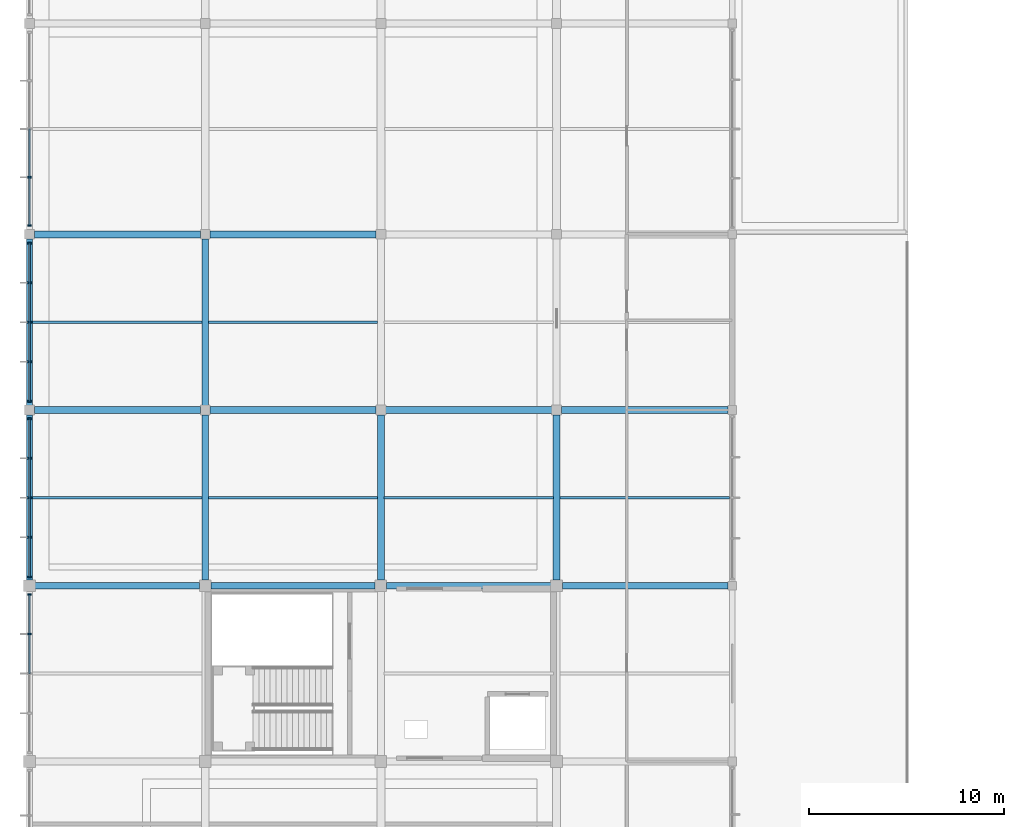
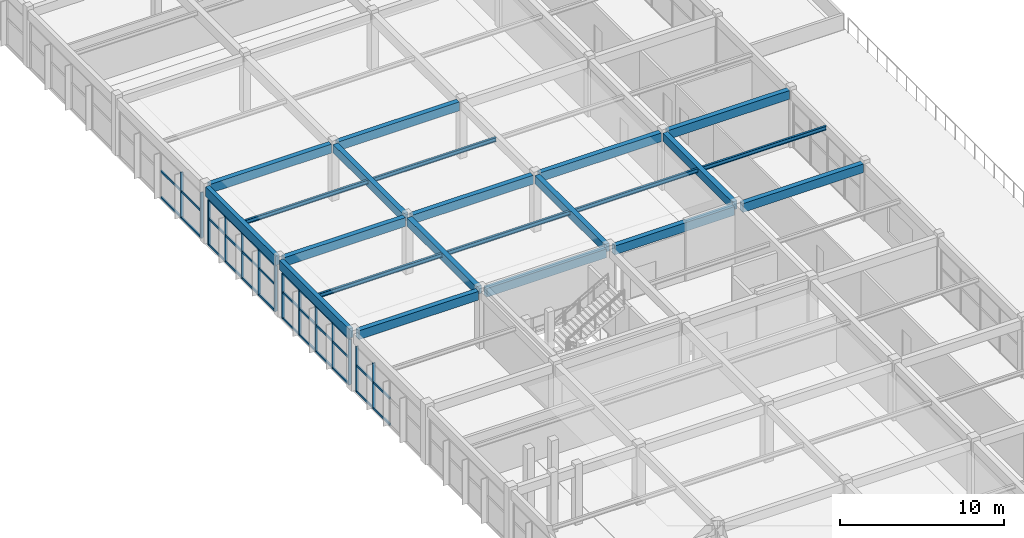
# One storey, part 25 of 89: 40 members, 22 beams, 4 elements without a shape of their own.
"""IFC4 building model written with IfcOpenShell, lengths in metres."""

from ifc_helpers import new_model, si_unit, direction, frame, origin, origin_2d, place, context, subcontext, project, spatial, rectangle, i_section, extrude, material, material_profile, profile_set, type_object, element, aggregate, save


model = new_model("IFC4")

# Units and contexts
model_context = context("Model", 3, precision=1e-05, world=origin(), true_north=direction((0.0, 1.0)))
body_context = subcontext(model_context, "Body", "Model", "MODEL_VIEW")
ifc_project = project(units=[si_unit("LENGTHUNIT", "METRE"), si_unit("AREAUNIT", "SQUARE_METRE"), si_unit("VOLUMEUNIT", "CUBIC_METRE"), si_unit("PLANEANGLEUNIT", "RADIAN"), si_unit("MASSUNIT", "GRAM", prefix="KILO")], contexts=[model_context])

# Site, building, storey
site_placement = place(None, origin())
site = spatial("IfcSite", under=ifc_project, at=site_placement, CompositionType="ELEMENT")
building_placement = place(site_placement, origin())
building = spatial("IfcBuilding", under=site, at=building_placement, Name="Suirenkawa Promenade Aquatics Centre", CompositionType="ELEMENT")
storey_placement = place(building_placement, frame((0.0, 0.0, 9.60009765625)))
storey = spatial("IfcBuildingStorey", under=building, at=storey_placement, Name="L02", CompositionType="ELEMENT", Elevation=9.60009765625)

# Beams
ifc_material_1 = material(Name="Steel IS 2062 E350 (Grade 350)", Category="steel")
ifc_material_profile_1 = material_profile(ifc_material_1, i_section(OverallWidth=0.139892578125, OverallDepth=0.300048828125, WebThickness=0.008056640625, FlangeThickness=0.012939453125, at=origin_2d()), Name="ISMB 300", Category="steel")
ifc_profile_set_1 = profile_set([ifc_material_profile_1], Name="Steel IS 2062 E350 (Grade 350)")
beam_type_1 = type_object("IfcBeamType", Name="BT-JOIST-ISMB300", PredefinedType="JOIST", material=ifc_profile_set_1)
for number, where, z_axis, x_axis, name in (
    (1, (0.14404296875, 72.89990234375, 4.087890625), (1.0, 0.0, 0.0), (0.0, 1.0, 0.0), "Secondary floor joist JS-02 BM-0697"),
    (2, (0.14404296875, 81.89990234375, 4.087890625), (1.0, 0.0, 0.0), (0.0, 1.0, 0.0), "Secondary floor joist JS-02 BM-0698"),
):
    element("IfcBeam", number, at=place(storey_placement, frame(where, z_axis=z_axis, x_axis=x_axis)), inside=storey, type_object=beam_type_1, Name=name, PredefinedType="JOIST", context=body_context, shape_type="SweptSolid", body=[
        extrude(i_section(OverallWidth=0.139892578125, OverallDepth=0.300048828125, WebThickness=0.008056640625, FlangeThickness=0.012939453125, at=origin_2d()), origin(), (0.0, 0.0, 1.0), 8.68701171875),
    ])
for number, where, z_axis, x_axis, name in (
    (3, (9.1689453125, 72.89990234375, 4.087890625), (1.0, 0.0, 0.0), (0.0, 1.0, 0.0), "Secondary floor joist JS-02 BM-0707"),
    (4, (9.1689453125, 81.89990234375, 4.087890625), (1.0, 0.0, 0.0), (0.0, 1.0, 0.0), "Secondary floor joist JS-02 BM-0708"),
    (5, (18.1689453125, 72.89990234375, 4.087890625), (1.0, 0.0, 0.0), (0.0, 1.0, 0.0), "Secondary floor joist JS-02 BM-0719"),
):
    element("IfcBeam", number, at=place(storey_placement, frame(where, z_axis=z_axis, x_axis=x_axis)), inside=storey, type_object=beam_type_1, Name=name, PredefinedType="JOIST", context=body_context, shape_type="SweptSolid", body=[
        extrude(i_section(OverallWidth=0.139892578125, OverallDepth=0.300048828125, WebThickness=0.008056640625, FlangeThickness=0.012939453125, at=origin_2d()), origin(), (0.0, 0.0, 1.0), 8.662109375),
    ])
beam_1_placement = place(storey_placement, frame((27.1689453125, 72.89990234375, 4.087890625), z_axis=(1.0, 0.0, 0.0), x_axis=(0.0, 1.0, 0.0)))
element("IfcBeam", 6, at=beam_1_placement, inside=storey, type_object=beam_type_1, Name="Secondary floor joist JS-02 BM-0731", PredefinedType="JOIST", context=body_context, shape_type="SweptSolid", body=[
    extrude(i_section(OverallWidth=0.139892578125, OverallDepth=0.300048828125, WebThickness=0.008056640625, FlangeThickness=0.012939453125, at=origin_2d()), origin(), (0.0, 0.0, 1.0), 8.68701171875),
])
ifc_material_2 = material(Name="Concrete M35", Category="concrete")
ifc_material_profile_2 = material_profile(ifc_material_2, rectangle(XDim=0.35009765625, YDim=0.60009765625, at=origin_2d()), Name="RC BM 350x600", Category="concrete")
ifc_profile_set_2 = profile_set([ifc_material_profile_2], Name="Concrete M35")
beam_type_2 = type_object("IfcBeamType", Name="BT-RC-350x600", PredefinedType="BEAM", material=ifc_profile_set_2)
beam_2_placement = place(storey_placement, frame((9.0, 68.694091796875, 3.93994140625), z_axis=(0.0, 1.0, 0.0), x_axis=(-1.0, 0.0, 0.0)))
element("IfcBeam", 7, at=beam_2_placement, inside=storey, type_object=beam_type_2, Name="Floor beam BM-02 BM-0649", PredefinedType="BEAM", context=body_context, shape_type="SweptSolid", body=[
    extrude(rectangle(XDim=0.35009765625, YDim=0.60009765625, at=origin_2d()), origin(), (0.0, 0.0, 1.0), 8.4619140625),
])
beam_3_placement = place(storey_placement, frame((9.0, 77.64404296875, 3.93994140625), z_axis=(0.0, 1.0, 0.0), x_axis=(-1.0, 0.0, 0.0)))
element("IfcBeam", 8, at=beam_3_placement, inside=storey, type_object=beam_type_2, Name="Floor beam BM-02 BM-0650", PredefinedType="BEAM", context=body_context, shape_type="SweptSolid", body=[
    extrude(rectangle(XDim=0.35009765625, YDim=0.60009765625, at=origin_2d()), origin(), (0.0, 0.0, 1.0), 8.511962890625),
])
for number, where, z_axis, x_axis, name in (
    (9, (18.0, 68.694091796875, 3.93994140625), (0.0, 1.0, 0.0), (-1.0, 0.0, 0.0), "Floor beam BM-02 BM-0661"),
    (10, (27.0, 68.694091796875, 3.93994140625), (0.0, 1.0, 0.0), (-1.0, 0.0, 0.0), "Floor beam BM-02 BM-0673"),
):
    element("IfcBeam", number, at=place(storey_placement, frame(where, z_axis=z_axis, x_axis=x_axis)), inside=storey, type_object=beam_type_2, Name=name, PredefinedType="BEAM", context=body_context, shape_type="SweptSolid", body=[
        extrude(rectangle(XDim=0.35009765625, YDim=0.60009765625, at=origin_2d()), origin(), (0.0, 0.0, 1.0), 8.4619140625),
    ])
ifc_material_profile_3 = material_profile(ifc_material_2, rectangle(XDim=0.35009765625, YDim=0.64990234375, at=origin_2d()), Name="RC BM 350x650", Category="concrete")
ifc_profile_set_3 = profile_set([ifc_material_profile_3], Name="Concrete M35")
beam_type_3 = type_object("IfcBeamType", Name="BT-RC-350x650", PredefinedType="BEAM", material=ifc_profile_set_3)
for number, where, z_axis, x_axis, name in (
    (11, (0.2939453125, 68.39990234375, 3.914794921875), (1.0, 0.0, 0.0), (0.0, 1.0, 0.0), "Floor beam BM-03 BM-0606"),
    (12, (9.2939453125, 68.39990234375, 3.914794921875), (1.0, 0.0, 0.0), (0.0, 1.0, 0.0), "Floor beam BM-03 BM-0607"),
    (13, (18.2939453125, 68.39990234375, 3.914794921875), (1.0, 0.0, 0.0), (0.0, 1.0, 0.0), "Floor beam BM-03 BM-0608"),
):
    element("IfcBeam", number, at=place(storey_placement, frame(where, z_axis=z_axis, x_axis=x_axis)), inside=storey, type_object=beam_type_3, Name=name, PredefinedType="BEAM", context=body_context, shape_type="SweptSolid", body=[
        extrude(rectangle(XDim=0.35009765625, YDim=0.64990234375, at=origin_2d()), origin(), (0.0, 0.0, 1.0), 8.412109375),
    ])
beam_4_placement = place(storey_placement, frame((27.2939453125, 68.39990234375, 3.914794921875), z_axis=(1.0, 0.0, 0.0), x_axis=(0.0, 1.0, 0.0)))
element("IfcBeam", 14, at=beam_4_placement, inside=storey, type_object=beam_type_3, Name="Floor beam BM-03 BM-0609", PredefinedType="BEAM", context=body_context, shape_type="SweptSolid", body=[
    extrude(rectangle(XDim=0.35009765625, YDim=0.64990234375, at=origin_2d()), origin(), (0.0, 0.0, 1.0), 8.487060546875),
])
for number, where, z_axis, x_axis, name in (
    (15, (0.243896484375, 77.39990234375, 3.914794921875), (1.0, 0.0, 0.0), (0.0, 1.0, 0.0), "Floor beam BM-03 BM-0610"),
    (16, (9.243896484375, 77.39990234375, 3.914794921875), (1.0, 0.0, 0.0), (0.0, 1.0, 0.0), "Floor beam BM-03 BM-0611"),
    (17, (18.243896484375, 77.39990234375, 3.914794921875), (1.0, 0.0, 0.0), (0.0, 1.0, 0.0), "Floor beam BM-03 BM-0612"),
):
    element("IfcBeam", number, at=place(storey_placement, frame(where, z_axis=z_axis, x_axis=x_axis)), inside=storey, type_object=beam_type_3, Name=name, PredefinedType="BEAM", context=body_context, shape_type="SweptSolid", body=[
        extrude(rectangle(XDim=0.35009765625, YDim=0.64990234375, at=origin_2d()), origin(), (0.0, 0.0, 1.0), 8.51220703125),
    ])
beam_5_placement = place(storey_placement, frame((27.243896484375, 77.39990234375, 3.914794921875), z_axis=(1.0, 0.0, 0.0), x_axis=(0.0, 1.0, 0.0)))
element("IfcBeam", 18, at=beam_5_placement, inside=storey, type_object=beam_type_3, Name="Floor beam BM-03 BM-0613", PredefinedType="BEAM", context=body_context, shape_type="SweptSolid", body=[
    extrude(rectangle(XDim=0.35009765625, YDim=0.64990234375, at=origin_2d()), origin(), (0.0, 0.0, 1.0), 8.537109375),
])
for number, where, z_axis, x_axis, name in (
    (19, (0.243896484375, 86.39990234375, 3.914794921875), (1.0, 0.0, 0.0), (0.0, 1.0, 0.0), "Floor beam BM-03 BM-0614"),
    (20, (9.243896484375, 86.39990234375, 3.914794921875), (1.0, 0.0, 0.0), (0.0, 1.0, 0.0), "Floor beam BM-03 BM-0615"),
):
    element("IfcBeam", number, at=place(storey_placement, frame(where, z_axis=z_axis, x_axis=x_axis)), inside=storey, type_object=beam_type_3, Name=name, PredefinedType="BEAM", context=body_context, shape_type="SweptSolid", body=[
        extrude(rectangle(XDim=0.35009765625, YDim=0.64990234375, at=origin_2d()), origin(), (0.0, 0.0, 1.0), 8.51220703125),
    ])
ifc_material_3 = material(Name="Concrete M40", Category="concrete")
ifc_material_profile_4 = material_profile(ifc_material_3, rectangle(XDim=0.300048828125, YDim=0.699951171875, at=origin_2d()), Name="RC SPANDREL 300x700", Category="concrete")
ifc_profile_set_4 = profile_set([ifc_material_profile_4], Name="Concrete M40")
beam_type_4 = type_object("IfcBeamType", Name="BT-SPANDREL-300x700", PredefinedType="SPANDREL", material=ifc_profile_set_4)
beam_6_placement = place(storey_placement, frame((0.0, 68.694091796875, 3.889892578125), z_axis=(0.0, 1.0, 0.0), x_axis=(-1.0, 0.0, 0.0)))
element("IfcBeam", 21, at=beam_6_placement, inside=storey, type_object=beam_type_4, Name="Floor beam SP-01 BM-0637", PredefinedType="SPANDREL", context=body_context, shape_type="SweptSolid", body=[
    extrude(rectangle(XDim=0.300048828125, YDim=0.699951171875, at=origin_2d()), origin(), (0.0, 0.0, 1.0), 8.4619140625),
])
beam_7_placement = place(storey_placement, frame((0.0, 77.64404296875, 3.889892578125), z_axis=(0.0, 1.0, 0.0), x_axis=(-1.0, 0.0, 0.0)))
element("IfcBeam", 22, at=beam_7_placement, inside=storey, type_object=beam_type_4, Name="Floor beam SP-01 BM-0638", PredefinedType="SPANDREL", context=body_context, shape_type="SweptSolid", body=[
    extrude(rectangle(XDim=0.300048828125, YDim=0.699951171875, at=origin_2d()), origin(), (0.0, 0.0, 1.0), 8.511962890625),
])

# Curtain wall, members
ifc_material_4 = material(Name="Anodised aluminium 6063-T6", Category="aluminium")
curtain_wall_type_1 = type_object("IfcCurtainWallType", Name="CWAT-V5WL02-60", PredefinedType="NOTDEFINED", material=ifc_material_4)
curtain_wall_1_placement = place(storey_placement, origin())
curtain_wall_1 = element("IfcCurtainWall", 23, at=curtain_wall_1_placement, inside=storey, type_object=curtain_wall_type_1, Name="Curtain wall CWA-60 CW-122", PredefinedType="NOTDEFINED")
ifc_material_profile_5 = material_profile(ifc_material_4, rectangle(XDim=0.094970703125, YDim=0.18994140625, at=origin_2d()), Name="ALU MULL 95x190", Category="aluminium")
ifc_profile_set_5 = profile_set([ifc_material_profile_5], Name="Anodised aluminium 6063-T6")
member_type_1 = type_object("IfcMemberType", Name="CWM-190x95", PredefinedType="MULLION", material=ifc_profile_set_5)
member_1_placement = place(storey_placement, frame((0.0, 65.925537109375, 0.0), z_axis=(0.0, 0.0, 1.0), x_axis=(0.0, 1.0, 0.0)))
member_1 = element("IfcMember", 24, at=member_1_placement, type_object=member_type_1, Name="Mullion ML-02 CWM-02461", PredefinedType="MULLION", context=body_context, shape_type="SweptSolid", body=[
    extrude(rectangle(XDim=0.094970703125, YDim=0.18994140625, at=origin_2d()), origin(), (0.0, 0.0, 1.0), 3.369873046875),
])
member_2_placement = place(storey_placement, frame((0.0, 67.950927734375, 0.0), z_axis=(0.0, 0.0, 1.0), x_axis=(0.0, 1.0, 0.0)))
member_2 = element("IfcMember", 25, at=member_2_placement, type_object=member_type_1, Name="Mullion ML-02 CWM-02462", PredefinedType="MULLION", context=body_context, shape_type="SweptSolid", body=[
    extrude(rectangle(XDim=0.094970703125, YDim=0.18994140625, at=origin_2d()), origin(), (0.0, 0.0, 1.0), 3.369873046875),
])

curtain_wall_2_placement = place(storey_placement, origin())
curtain_wall_2 = element("IfcCurtainWall", 26, at=curtain_wall_2_placement, inside=storey, type_object=curtain_wall_type_1, Name="Curtain wall CWA-60 CW-123", PredefinedType="NOTDEFINED")
member_3_placement = place(storey_placement, frame((0.0, 68.84912109375, 0.0), z_axis=(0.0, 0.0, 1.0), x_axis=(0.0, 1.0, 0.0)))
member_3 = element("IfcMember", 27, at=member_3_placement, type_object=member_type_1, Name="Mullion ML-02 CWM-02480", PredefinedType="MULLION", context=body_context, shape_type="SweptSolid", body=[
    extrude(rectangle(XDim=0.094970703125, YDim=0.18994140625, at=origin_2d()), origin(), (0.0, 0.0, 1.0), 3.369873046875),
])
member_4_placement = place(storey_placement, frame((0.0, 70.87451171875, 0.0), z_axis=(0.0, 0.0, 1.0), x_axis=(0.0, 1.0, 0.0)))
member_4 = element("IfcMember", 28, at=member_4_placement, type_object=member_type_1, Name="Mullion ML-02 CWM-02481", PredefinedType="MULLION", context=body_context, shape_type="SweptSolid", body=[
    extrude(rectangle(XDim=0.094970703125, YDim=0.18994140625, at=origin_2d()), origin(), (0.0, 0.0, 1.0), 3.369873046875),
])
member_5_placement = place(storey_placement, frame((0.0, 72.89990234375, 0.0), z_axis=(0.0, 0.0, 1.0), x_axis=(0.0, 1.0, 0.0)))
member_5 = element("IfcMember", 29, at=member_5_placement, type_object=member_type_1, Name="Mullion ML-02 CWM-02482", PredefinedType="MULLION", context=body_context, shape_type="SweptSolid", body=[
    extrude(rectangle(XDim=0.094970703125, YDim=0.18994140625, at=origin_2d()), origin(), (0.0, 0.0, 1.0), 3.369873046875),
])
member_6_placement = place(storey_placement, frame((0.0, 74.925537109375, 0.0), z_axis=(0.0, 0.0, 1.0), x_axis=(0.0, 1.0, 0.0)))
member_6 = element("IfcMember", 30, at=member_6_placement, type_object=member_type_1, Name="Mullion ML-02 CWM-02483", PredefinedType="MULLION", context=body_context, shape_type="SweptSolid", body=[
    extrude(rectangle(XDim=0.094970703125, YDim=0.18994140625, at=origin_2d()), origin(), (0.0, 0.0, 1.0), 3.369873046875),
])
member_7_placement = place(storey_placement, frame((0.0, 76.950927734375, 0.0), z_axis=(0.0, 0.0, 1.0), x_axis=(0.0, 1.0, 0.0)))
member_7 = element("IfcMember", 31, at=member_7_placement, type_object=member_type_1, Name="Mullion ML-02 CWM-02484", PredefinedType="MULLION", context=body_context, shape_type="SweptSolid", body=[
    extrude(rectangle(XDim=0.094970703125, YDim=0.18994140625, at=origin_2d()), origin(), (0.0, 0.0, 1.0), 3.369873046875),
])

curtain_wall_3_placement = place(storey_placement, origin())
curtain_wall_3 = element("IfcCurtainWall", 32, at=curtain_wall_3_placement, inside=storey, type_object=curtain_wall_type_1, Name="Curtain wall CWA-60 CW-125", PredefinedType="NOTDEFINED")
member_8_placement = place(storey_placement, frame((0.0, 77.84912109375, 0.0), z_axis=(0.0, 0.0, 1.0), x_axis=(0.0, 1.0, 0.0)))
member_8 = element("IfcMember", 33, at=member_8_placement, type_object=member_type_1, Name="Mullion ML-02 CWM-02524", PredefinedType="MULLION", context=body_context, shape_type="SweptSolid", body=[
    extrude(rectangle(XDim=0.094970703125, YDim=0.18994140625, at=origin_2d()), origin(), (0.0, 0.0, 1.0), 3.369873046875),
])
member_9_placement = place(storey_placement, frame((0.0, 79.87451171875, 0.0), z_axis=(0.0, 0.0, 1.0), x_axis=(0.0, 1.0, 0.0)))
member_9 = element("IfcMember", 34, at=member_9_placement, type_object=member_type_1, Name="Mullion ML-02 CWM-02525", PredefinedType="MULLION", context=body_context, shape_type="SweptSolid", body=[
    extrude(rectangle(XDim=0.094970703125, YDim=0.18994140625, at=origin_2d()), origin(), (0.0, 0.0, 1.0), 3.369873046875),
])
member_10_placement = place(storey_placement, frame((0.0, 81.89990234375, 0.0), z_axis=(0.0, 0.0, 1.0), x_axis=(0.0, 1.0, 0.0)))
member_10 = element("IfcMember", 35, at=member_10_placement, type_object=member_type_1, Name="Mullion ML-02 CWM-02526", PredefinedType="MULLION", context=body_context, shape_type="SweptSolid", body=[
    extrude(rectangle(XDim=0.094970703125, YDim=0.18994140625, at=origin_2d()), origin(), (0.0, 0.0, 1.0), 3.369873046875),
])
member_11_placement = place(storey_placement, frame((0.0, 83.925537109375, 0.0), z_axis=(0.0, 0.0, 1.0), x_axis=(0.0, 1.0, 0.0)))
member_11 = element("IfcMember", 36, at=member_11_placement, type_object=member_type_1, Name="Mullion ML-02 CWM-02527", PredefinedType="MULLION", context=body_context, shape_type="SweptSolid", body=[
    extrude(rectangle(XDim=0.094970703125, YDim=0.18994140625, at=origin_2d()), origin(), (0.0, 0.0, 1.0), 3.369873046875),
])
member_12_placement = place(storey_placement, frame((0.0, 85.950927734375, 0.0), z_axis=(0.0, 0.0, 1.0), x_axis=(0.0, 1.0, 0.0)))
member_12 = element("IfcMember", 37, at=member_12_placement, type_object=member_type_1, Name="Mullion ML-02 CWM-02528", PredefinedType="MULLION", context=body_context, shape_type="SweptSolid", body=[
    extrude(rectangle(XDim=0.094970703125, YDim=0.18994140625, at=origin_2d()), origin(), (0.0, 0.0, 1.0), 3.369873046875),
])

curtain_wall_type_2 = type_object("IfcCurtainWallType", Name="CWAT-V5WL02-63", PredefinedType="NOTDEFINED", material=ifc_material_4)
curtain_wall_4_placement = place(storey_placement, origin())
curtain_wall_4 = element("IfcCurtainWall", 38, at=curtain_wall_4_placement, inside=storey, type_object=curtain_wall_type_2, Name="Curtain wall CWA-63 CW-126", PredefinedType="NOTDEFINED")
member_13_placement = place(storey_placement, frame((0.0, 86.84912109375, 0.0), z_axis=(0.0, 0.0, 1.0), x_axis=(0.0, 1.0, 0.0)))
member_13 = element("IfcMember", 39, at=member_13_placement, type_object=member_type_1, Name="Mullion ML-02 CWM-02546", PredefinedType="MULLION", context=body_context, shape_type="SweptSolid", body=[
    extrude(rectangle(XDim=0.094970703125, YDim=0.18994140625, at=origin_2d()), origin(), (0.0, 0.0, 1.0), 3.369873046875),
])
member_14_placement = place(storey_placement, frame((0.0, 89.324462890625, 0.0), z_axis=(0.0, 0.0, 1.0), x_axis=(0.0, 1.0, 0.0)))
member_14 = element("IfcMember", 40, at=member_14_placement, type_object=member_type_1, Name="Mullion ML-02 CWM-02547", PredefinedType="MULLION", context=body_context, shape_type="SweptSolid", body=[
    extrude(rectangle(XDim=0.094970703125, YDim=0.18994140625, at=origin_2d()), origin(), (0.0, 0.0, 1.0), 3.369873046875),
])

# Member
ifc_material_profile_6 = material_profile(ifc_material_4, rectangle(XDim=0.094970703125, YDim=0.14990234375, at=origin_2d()), Name="ALU TRAN 95x150", Category="aluminium")
ifc_profile_set_6 = profile_set([ifc_material_profile_6], Name="Anodised aluminium 6063-T6")
member_type_2 = type_object("IfcMemberType", Name="CWT-150x95", PredefinedType="USERDEFINED", material=ifc_profile_set_6)
member_15_placement = place(storey_placement, frame((0.0, 63.89990234375, 0.0), z_axis=(0.0, 1.0, 0.0), x_axis=(-1.0, 0.0, 0.0)))
member_15 = element("IfcMember", 41, at=member_15_placement, type_object=member_type_2, Name="Transom TR-02 CWT-02465", ObjectType="TRANSOM", PredefinedType="USERDEFINED", context=body_context, shape_type="SweptSolid", body=[
    extrude(rectangle(XDim=0.094970703125, YDim=0.14990234375, at=origin_2d()), origin(), (0.0, 0.0, 1.0), 2.025634765625),
])

member_16_placement = place(storey_placement, frame((0.0, 65.925537109375, 0.0), z_axis=(0.0, 1.0, 0.0), x_axis=(-1.0, 0.0, 0.0)))
member_16 = element("IfcMember", 42, at=member_16_placement, type_object=member_type_2, Name="Transom TR-02 CWT-02466", ObjectType="TRANSOM", PredefinedType="USERDEFINED", context=body_context, shape_type="SweptSolid", body=[
    extrude(rectangle(XDim=0.094970703125, YDim=0.14990234375, at=origin_2d()), origin(), (0.0, 0.0, 1.0), 2.025390625),
])

member_17_placement = place(storey_placement, frame((0.0, 63.89990234375, 1.949951171875), z_axis=(0.0, 1.0, 0.0), x_axis=(-1.0, 0.0, 0.0)))
member_17 = element("IfcMember", 43, at=member_17_placement, type_object=member_type_2, Name="Transom TR-02 CWT-02469", ObjectType="TRANSOM", PredefinedType="USERDEFINED", context=body_context, shape_type="SweptSolid", body=[
    extrude(rectangle(XDim=0.094970703125, YDim=0.14990234375, at=origin_2d()), origin(), (0.0, 0.0, 1.0), 2.025634765625),
])

member_18_placement = place(storey_placement, frame((0.0, 65.925537109375, 1.949951171875), z_axis=(0.0, 1.0, 0.0), x_axis=(-1.0, 0.0, 0.0)))
member_18 = element("IfcMember", 44, at=member_18_placement, type_object=member_type_2, Name="Transom TR-02 CWT-02470", ObjectType="TRANSOM", PredefinedType="USERDEFINED", context=body_context, shape_type="SweptSolid", body=[
    extrude(rectangle(XDim=0.094970703125, YDim=0.14990234375, at=origin_2d()), origin(), (0.0, 0.0, 1.0), 2.025390625),
])

aggregate(curtain_wall_1, [member_1, member_2, member_15, member_16, member_17, member_18])

member_19_placement = place(storey_placement, frame((0.0, 68.84912109375, 0.0), z_axis=(0.0, 1.0, 0.0), x_axis=(-1.0, 0.0, 0.0)))
member_19 = element("IfcMember", 45, at=member_19_placement, type_object=member_type_2, Name="Transom TR-02 CWT-02485", ObjectType="TRANSOM", PredefinedType="USERDEFINED", context=body_context, shape_type="SweptSolid", body=[
    extrude(rectangle(XDim=0.094970703125, YDim=0.14990234375, at=origin_2d()), origin(), (0.0, 0.0, 1.0), 2.025390625),
])

member_20_placement = place(storey_placement, frame((0.0, 70.87451171875, 0.0), z_axis=(0.0, 1.0, 0.0), x_axis=(-1.0, 0.0, 0.0)))
member_20 = element("IfcMember", 46, at=member_20_placement, type_object=member_type_2, Name="Transom TR-02 CWT-02486", ObjectType="TRANSOM", PredefinedType="USERDEFINED", context=body_context, shape_type="SweptSolid", body=[
    extrude(rectangle(XDim=0.094970703125, YDim=0.14990234375, at=origin_2d()), origin(), (0.0, 0.0, 1.0), 2.025390625),
])

member_21_placement = place(storey_placement, frame((0.0, 72.89990234375, 0.0), z_axis=(0.0, 1.0, 0.0), x_axis=(-1.0, 0.0, 0.0)))
member_21 = element("IfcMember", 47, at=member_21_placement, type_object=member_type_2, Name="Transom TR-02 CWT-02487", ObjectType="TRANSOM", PredefinedType="USERDEFINED", context=body_context, shape_type="SweptSolid", body=[
    extrude(rectangle(XDim=0.094970703125, YDim=0.14990234375, at=origin_2d()), origin(), (0.0, 0.0, 1.0), 2.025634765625),
])

member_22_placement = place(storey_placement, frame((0.0, 74.925537109375, 0.0), z_axis=(0.0, 1.0, 0.0), x_axis=(-1.0, 0.0, 0.0)))
member_22 = element("IfcMember", 48, at=member_22_placement, type_object=member_type_2, Name="Transom TR-02 CWT-02488", ObjectType="TRANSOM", PredefinedType="USERDEFINED", context=body_context, shape_type="SweptSolid", body=[
    extrude(rectangle(XDim=0.094970703125, YDim=0.14990234375, at=origin_2d()), origin(), (0.0, 0.0, 1.0), 2.025390625),
])

member_23_placement = place(storey_placement, frame((0.0, 68.84912109375, 1.949951171875), z_axis=(0.0, 1.0, 0.0), x_axis=(-1.0, 0.0, 0.0)))
member_23 = element("IfcMember", 49, at=member_23_placement, type_object=member_type_2, Name="Transom TR-02 CWT-02489", ObjectType="TRANSOM", PredefinedType="USERDEFINED", context=body_context, shape_type="SweptSolid", body=[
    extrude(rectangle(XDim=0.094970703125, YDim=0.14990234375, at=origin_2d()), origin(), (0.0, 0.0, 1.0), 2.025390625),
])

member_24_placement = place(storey_placement, frame((0.0, 70.87451171875, 1.949951171875), z_axis=(0.0, 1.0, 0.0), x_axis=(-1.0, 0.0, 0.0)))
member_24 = element("IfcMember", 50, at=member_24_placement, type_object=member_type_2, Name="Transom TR-02 CWT-02490", ObjectType="TRANSOM", PredefinedType="USERDEFINED", context=body_context, shape_type="SweptSolid", body=[
    extrude(rectangle(XDim=0.094970703125, YDim=0.14990234375, at=origin_2d()), origin(), (0.0, 0.0, 1.0), 2.025390625),
])

member_25_placement = place(storey_placement, frame((0.0, 72.89990234375, 1.949951171875), z_axis=(0.0, 1.0, 0.0), x_axis=(-1.0, 0.0, 0.0)))
member_25 = element("IfcMember", 51, at=member_25_placement, type_object=member_type_2, Name="Transom TR-02 CWT-02491", ObjectType="TRANSOM", PredefinedType="USERDEFINED", context=body_context, shape_type="SweptSolid", body=[
    extrude(rectangle(XDim=0.094970703125, YDim=0.14990234375, at=origin_2d()), origin(), (0.0, 0.0, 1.0), 2.025634765625),
])

member_26_placement = place(storey_placement, frame((0.0, 74.925537109375, 1.949951171875), z_axis=(0.0, 1.0, 0.0), x_axis=(-1.0, 0.0, 0.0)))
member_26 = element("IfcMember", 52, at=member_26_placement, type_object=member_type_2, Name="Transom TR-02 CWT-02492", ObjectType="TRANSOM", PredefinedType="USERDEFINED", context=body_context, shape_type="SweptSolid", body=[
    extrude(rectangle(XDim=0.094970703125, YDim=0.14990234375, at=origin_2d()), origin(), (0.0, 0.0, 1.0), 2.025390625),
])

member_27_placement = place(storey_placement, frame((0.0, 68.84912109375, 3.369873046875), z_axis=(0.0, 1.0, 0.0), x_axis=(-1.0, 0.0, 0.0)))
member_27 = element("IfcMember", 53, at=member_27_placement, type_object=member_type_2, Name="Roofline transom TR-02 CWT-02493", ObjectType="TRANSOM", PredefinedType="USERDEFINED", context=body_context, shape_type="SweptSolid", body=[
    extrude(rectangle(XDim=0.094970703125, YDim=0.14990234375, at=origin_2d()), origin(), (0.0, 0.0, 1.0), 8.101806640625),
])

aggregate(curtain_wall_2, [member_3, member_4, member_5, member_6, member_7, member_19, member_20, member_21, member_22, member_23, member_24, member_25, member_26, member_27])

member_28_placement = place(storey_placement, frame((0.0, 77.84912109375, 0.0), z_axis=(0.0, 1.0, 0.0), x_axis=(-1.0, 0.0, 0.0)))
member_28 = element("IfcMember", 54, at=member_28_placement, type_object=member_type_2, Name="Transom TR-02 CWT-02529", ObjectType="TRANSOM", PredefinedType="USERDEFINED", context=body_context, shape_type="SweptSolid", body=[
    extrude(rectangle(XDim=0.094970703125, YDim=0.14990234375, at=origin_2d()), origin(), (0.0, 0.0, 1.0), 2.025390625),
])

member_29_placement = place(storey_placement, frame((0.0, 79.87451171875, 0.0), z_axis=(0.0, 1.0, 0.0), x_axis=(-1.0, 0.0, 0.0)))
member_29 = element("IfcMember", 55, at=member_29_placement, type_object=member_type_2, Name="Transom TR-02 CWT-02530", ObjectType="TRANSOM", PredefinedType="USERDEFINED", context=body_context, shape_type="SweptSolid", body=[
    extrude(rectangle(XDim=0.094970703125, YDim=0.14990234375, at=origin_2d()), origin(), (0.0, 0.0, 1.0), 2.025390625),
])

member_30_placement = place(storey_placement, frame((0.0, 81.89990234375, 0.0), z_axis=(0.0, 1.0, 0.0), x_axis=(-1.0, 0.0, 0.0)))
member_30 = element("IfcMember", 56, at=member_30_placement, type_object=member_type_2, Name="Transom TR-02 CWT-02531", ObjectType="TRANSOM", PredefinedType="USERDEFINED", context=body_context, shape_type="SweptSolid", body=[
    extrude(rectangle(XDim=0.094970703125, YDim=0.14990234375, at=origin_2d()), origin(), (0.0, 0.0, 1.0), 2.025634765625),
])

member_31_placement = place(storey_placement, frame((0.0, 83.925537109375, 0.0), z_axis=(0.0, 1.0, 0.0), x_axis=(-1.0, 0.0, 0.0)))
member_31 = element("IfcMember", 57, at=member_31_placement, type_object=member_type_2, Name="Transom TR-02 CWT-02532", ObjectType="TRANSOM", PredefinedType="USERDEFINED", context=body_context, shape_type="SweptSolid", body=[
    extrude(rectangle(XDim=0.094970703125, YDim=0.14990234375, at=origin_2d()), origin(), (0.0, 0.0, 1.0), 2.025390625),
])

member_32_placement = place(storey_placement, frame((0.0, 77.84912109375, 1.949951171875), z_axis=(0.0, 1.0, 0.0), x_axis=(-1.0, 0.0, 0.0)))
member_32 = element("IfcMember", 58, at=member_32_placement, type_object=member_type_2, Name="Transom TR-02 CWT-02533", ObjectType="TRANSOM", PredefinedType="USERDEFINED", context=body_context, shape_type="SweptSolid", body=[
    extrude(rectangle(XDim=0.094970703125, YDim=0.14990234375, at=origin_2d()), origin(), (0.0, 0.0, 1.0), 2.025390625),
])

member_33_placement = place(storey_placement, frame((0.0, 79.87451171875, 1.949951171875), z_axis=(0.0, 1.0, 0.0), x_axis=(-1.0, 0.0, 0.0)))
member_33 = element("IfcMember", 59, at=member_33_placement, type_object=member_type_2, Name="Transom TR-02 CWT-02534", ObjectType="TRANSOM", PredefinedType="USERDEFINED", context=body_context, shape_type="SweptSolid", body=[
    extrude(rectangle(XDim=0.094970703125, YDim=0.14990234375, at=origin_2d()), origin(), (0.0, 0.0, 1.0), 2.025390625),
])

member_34_placement = place(storey_placement, frame((0.0, 81.89990234375, 1.949951171875), z_axis=(0.0, 1.0, 0.0), x_axis=(-1.0, 0.0, 0.0)))
member_34 = element("IfcMember", 60, at=member_34_placement, type_object=member_type_2, Name="Transom TR-02 CWT-02535", ObjectType="TRANSOM", PredefinedType="USERDEFINED", context=body_context, shape_type="SweptSolid", body=[
    extrude(rectangle(XDim=0.094970703125, YDim=0.14990234375, at=origin_2d()), origin(), (0.0, 0.0, 1.0), 2.025634765625),
])

member_35_placement = place(storey_placement, frame((0.0, 83.925537109375, 1.949951171875), z_axis=(0.0, 1.0, 0.0), x_axis=(-1.0, 0.0, 0.0)))
member_35 = element("IfcMember", 61, at=member_35_placement, type_object=member_type_2, Name="Transom TR-02 CWT-02536", ObjectType="TRANSOM", PredefinedType="USERDEFINED", context=body_context, shape_type="SweptSolid", body=[
    extrude(rectangle(XDim=0.094970703125, YDim=0.14990234375, at=origin_2d()), origin(), (0.0, 0.0, 1.0), 2.025390625),
])

member_36_placement = place(storey_placement, frame((0.0, 77.84912109375, 3.369873046875), z_axis=(0.0, 1.0, 0.0), x_axis=(-1.0, 0.0, 0.0)))
member_36 = element("IfcMember", 62, at=member_36_placement, type_object=member_type_2, Name="Roofline transom TR-02 CWT-02537", ObjectType="TRANSOM", PredefinedType="USERDEFINED", context=body_context, shape_type="SweptSolid", body=[
    extrude(rectangle(XDim=0.094970703125, YDim=0.14990234375, at=origin_2d()), origin(), (0.0, 0.0, 1.0), 8.101806640625),
])

aggregate(curtain_wall_3, [member_8, member_9, member_10, member_11, member_12, member_28, member_29, member_30, member_31, member_32, member_33, member_34, member_35, member_36])

member_37_placement = place(storey_placement, frame((0.0, 86.84912109375, 0.0), z_axis=(0.0, 1.0, 0.0), x_axis=(-1.0, 0.0, 0.0)))
member_37 = element("IfcMember", 63, at=member_37_placement, type_object=member_type_2, Name="Transom TR-02 CWT-02551", ObjectType="TRANSOM", PredefinedType="USERDEFINED", context=body_context, shape_type="SweptSolid", body=[
    extrude(rectangle(XDim=0.094970703125, YDim=0.14990234375, at=origin_2d()), origin(), (0.0, 0.0, 1.0), 2.475341796875),
])

member_38_placement = place(storey_placement, frame((0.0, 89.324462890625, 0.0), z_axis=(0.0, 1.0, 0.0), x_axis=(-1.0, 0.0, 0.0)))
member_38 = element("IfcMember", 64, at=member_38_placement, type_object=member_type_2, Name="Transom TR-02 CWT-02552", ObjectType="TRANSOM", PredefinedType="USERDEFINED", context=body_context, shape_type="SweptSolid", body=[
    extrude(rectangle(XDim=0.094970703125, YDim=0.14990234375, at=origin_2d()), origin(), (0.0, 0.0, 1.0), 2.4755859375),
])

member_39_placement = place(storey_placement, frame((0.0, 86.84912109375, 1.949951171875), z_axis=(0.0, 1.0, 0.0), x_axis=(-1.0, 0.0, 0.0)))
member_39 = element("IfcMember", 65, at=member_39_placement, type_object=member_type_2, Name="Transom TR-02 CWT-02555", ObjectType="TRANSOM", PredefinedType="USERDEFINED", context=body_context, shape_type="SweptSolid", body=[
    extrude(rectangle(XDim=0.094970703125, YDim=0.14990234375, at=origin_2d()), origin(), (0.0, 0.0, 1.0), 2.475341796875),
])

member_40_placement = place(storey_placement, frame((0.0, 89.324462890625, 1.949951171875), z_axis=(0.0, 1.0, 0.0), x_axis=(-1.0, 0.0, 0.0)))
member_40 = element("IfcMember", 66, at=member_40_placement, type_object=member_type_2, Name="Transom TR-02 CWT-02556", ObjectType="TRANSOM", PredefinedType="USERDEFINED", context=body_context, shape_type="SweptSolid", body=[
    extrude(rectangle(XDim=0.094970703125, YDim=0.14990234375, at=origin_2d()), origin(), (0.0, 0.0, 1.0), 2.4755859375),
])

aggregate(curtain_wall_4, [member_13, member_14, member_37, member_38, member_39, member_40])

save(model, "model.ifc")
